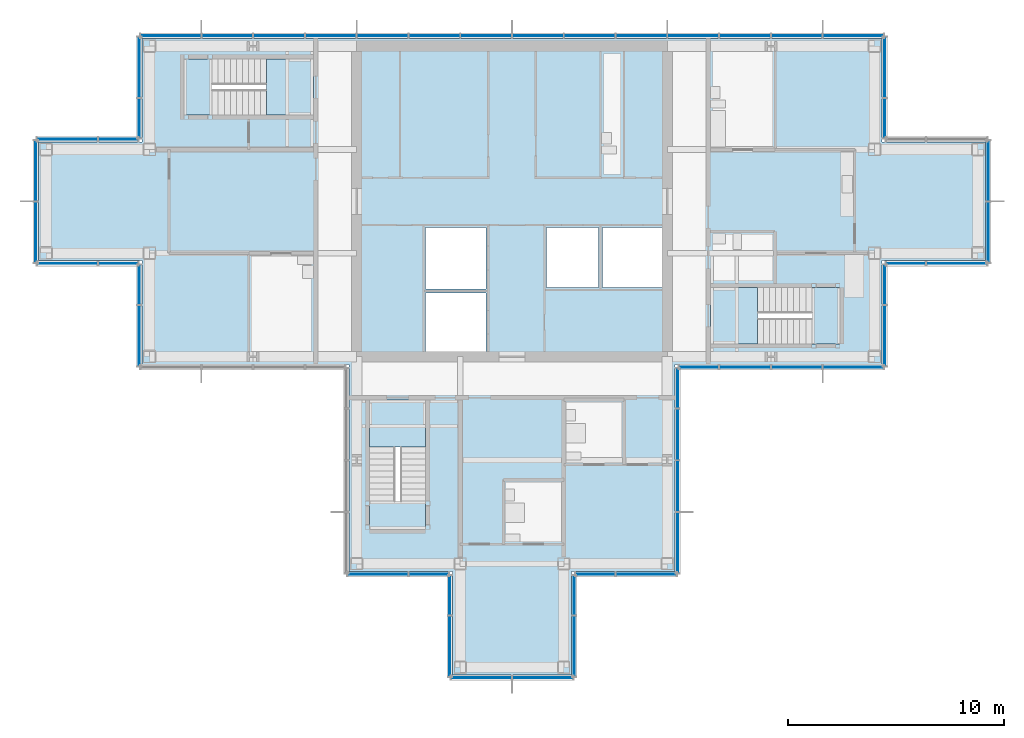
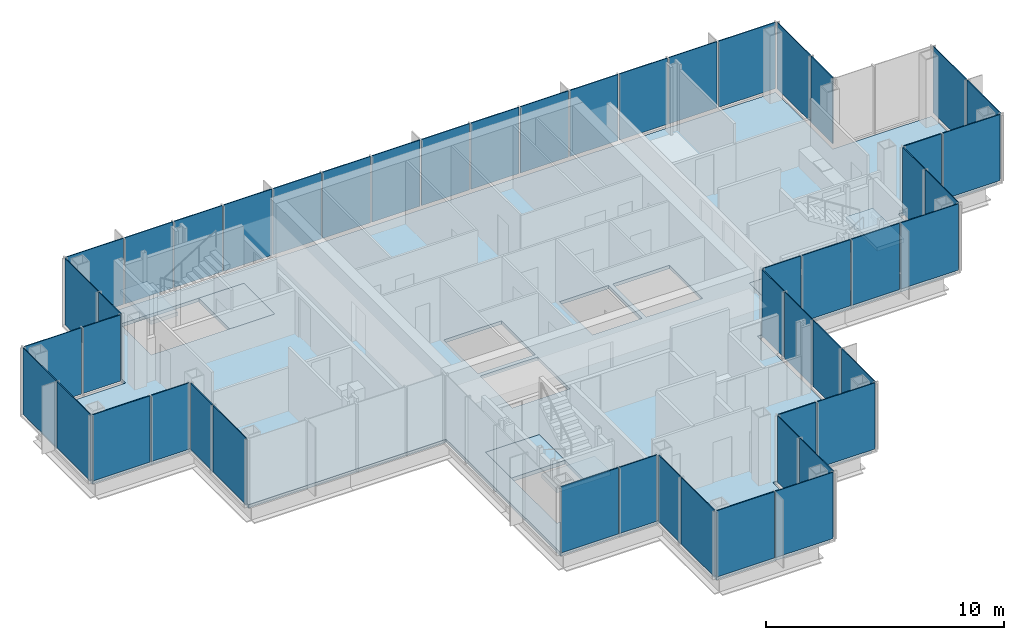
# One storey, part 9 of 15: 50 plates, 7 slabs, 20 elements without a shape of their own.
"""IFC4 building model written with IfcOpenShell, lengths in metres."""

from ifc_helpers import new_model, si_unit, direction, frame, origin, origin_2d, place, context, subcontext, project, spatial, polyline, rectangle, outline, extrude, material, layer, layer_set, type_object, element, aggregate, save


model = new_model("IFC4")

# Units and contexts
model_context = context("Model", 3, precision=1e-05, world=origin(), true_north=direction((0.0, 1.0)))
body_context = subcontext(model_context, "Body", "Model", "MODEL_VIEW")
ifc_project = project(units=[si_unit("LENGTHUNIT", "METRE"), si_unit("AREAUNIT", "SQUARE_METRE"), si_unit("VOLUMEUNIT", "CUBIC_METRE"), si_unit("PLANEANGLEUNIT", "RADIAN"), si_unit("MASSUNIT", "GRAM", prefix="KILO")], contexts=[model_context])

# Site, building, storey
site_placement = place(None, origin())
site = spatial("IfcSite", under=ifc_project, at=site_placement, CompositionType="ELEMENT")
building_placement = place(site_placement, origin())
building = spatial("IfcBuilding", under=site, at=building_placement, Name="Kvirike Care Tower", CompositionType="ELEMENT")
storey_placement = place(building_placement, frame((0.0, 0.0, 240.0)))
storey = spatial("IfcBuildingStorey", under=building, at=storey_placement, Name="L66", CompositionType="ELEMENT", Elevation=240.0)

# Slab
ifc_material_1 = material(Name="Concrete C35/45", Category="concrete")
ifc_layer_1 = layer(ifc_material_1, 0.169921875)
ifc_layer_set_1 = layer_set([ifc_layer_1], Name="FLOOR SLAB 170")
slab_type_1 = type_object("IfcSlabType", Name="FLOOR SLAB 170", PredefinedType="FLOOR", material=ifc_layer_set_1)
slab_1_placement = place(storey_placement, frame((0.0, 0.0, -0.169921875)))
element("IfcSlab", 1, at=slab_1_placement, inside=storey, type_object=slab_type_1, Name="Floor slab L66", PredefinedType="FLOOR", context=body_context, shape_type="SweptSolid", body=[
    extrude(outline(polyline([(29.14990234375, 28.449951171875), (38.75, 28.449951171875), (38.75, 33.25), (43.550048828125, 33.25), (43.550048828125, 38.75), (38.75, 38.75), (38.75, 43.550048828125), (4.449951171875, 43.550048828125), (4.449951171875, 38.75), (-0.35009765625, 38.75), (-0.35009765625, 33.25), (4.449951171875, 33.25), (4.449951171875, 28.449951171875), (14.050048828125, 28.449951171875), (14.050048828125, 18.85009765625), (18.85009765625, 18.85009765625), (18.85009765625, 14.050048828125), (24.35009765625, 14.050048828125), (24.35009765625, 18.85009765625), (29.14990234375, 18.85009765625), (29.14990234375, 28.449951171875)]), holes=[polyline([(17.60009765625, 29.050048828125), (17.60009765625, 31.75), (20.39990234375, 31.75), (20.39990234375, 29.050048828125), (17.60009765625, 29.050048828125)]), polyline([(17.60009765625, 31.949951171875), (17.60009765625, 34.800048828125), (20.39990234375, 34.800048828125), (20.39990234375, 31.949951171875), (17.60009765625, 31.949951171875)]), polyline([(23.199951171875, 32.0), (23.199951171875, 34.800048828125), (25.60009765625, 34.800048828125), (25.60009765625, 32.0), (23.199951171875, 32.0)]), polyline([(25.800048828125, 32.0), (25.800048828125, 34.800048828125), (28.550048828125, 34.800048828125), (28.550048828125, 32.0), (25.800048828125, 32.0)]), polyline([(12.39990234375, 42.60009765625), (12.39990234375, 40.0), (6.39990234375, 40.0), (6.39990234375, 42.60009765625), (12.39990234375, 42.60009765625)]), polyline([(30.800048828125, 29.39990234375), (30.800048828125, 32.0), (36.800048828125, 32.0), (36.800048828125, 29.39990234375), (30.800048828125, 29.39990234375)]), polyline([(15.0, 26.800048828125), (17.60009765625, 26.800048828125), (17.60009765625, 20.800048828125), (15.0, 20.800048828125), (15.0, 26.800048828125)])]), origin(), (0.0, 0.0, 1.0), 0.169921875),
])

# Stair, slabs
ifc_material_2 = material(Name="Concrete C35/45", Category="concrete")
stair_type = type_object("IfcStairType", Name="STAIR 20 RISERS", PredefinedType="HALF_TURN_STAIR", material=ifc_material_2)
stair_1_placement = place(storey_placement, origin())
stair_1 = element("IfcStair", 2, at=stair_1_placement, inside=storey, type_object=stair_type, Name="Stair 1 L66", PredefinedType="HALF_TURN_STAIR")
ifc_material_3 = material(Name="Concrete C35/45", Category="concrete")
ifc_layer_2 = layer(ifc_material_3, 0.199951171875)
ifc_layer_set_2 = layer_set([ifc_layer_2], Name="STAIR LANDING 200")
slab_type_2 = type_object("IfcSlabType", Name="STAIR LANDING 200", PredefinedType="LANDING", material=ifc_layer_set_2)
slab_2_placement = place(storey_placement, frame((0.0, 0.0, -0.199951171875)))
slab_2 = element("IfcSlab", 3, at=slab_2_placement, type_object=slab_type_2, Name="Stair S1 floor landing L66", PredefinedType="LANDING", context=body_context, shape_type="SweptSolid", body=[
    extrude(outline(polyline([(10.219970703125, 42.60009765625), (10.219970703125, 40.0), (12.39990234375, 40.0), (12.39990234375, 42.60009765625), (10.219970703125, 42.60009765625)])), origin(), (0.0, 0.0, 1.0), 0.199951171875),
])
slab_3_placement = place(storey_placement, frame((0.0, 0.0, 1.550048828125)))
slab_3 = element("IfcSlab", 4, at=slab_3_placement, type_object=slab_type_2, Name="Stair S1 half landing L66-L67", PredefinedType="LANDING", context=body_context, shape_type="SweptSolid", body=[
    extrude(outline(polyline([(6.39990234375, 42.60009765625), (6.39990234375, 40.0), (7.699951171875, 40.0), (7.699951171875, 42.60009765625), (6.39990234375, 42.60009765625)])), origin(), (0.0, 0.0, 1.0), 0.199951171875),
])
aggregate(stair_1, [slab_2, slab_3])

stair_2_placement = place(storey_placement, origin())
stair_2 = element("IfcStair", 5, at=stair_2_placement, inside=storey, type_object=stair_type, Name="Stair 2 L66", PredefinedType="HALF_TURN_STAIR")
slab_4_placement = place(storey_placement, frame((0.0, 0.0, -0.199951171875)))
slab_4 = element("IfcSlab", 6, at=slab_4_placement, type_object=slab_type_2, Name="Stair S2 floor landing L66", PredefinedType="LANDING", context=body_context, shape_type="SweptSolid", body=[
    extrude(outline(polyline([(32.97998046875, 29.39990234375), (32.97998046875, 32.0), (30.800048828125, 32.0), (30.800048828125, 29.39990234375), (32.97998046875, 29.39990234375)])), origin(), (0.0, 0.0, 1.0), 0.199951171875),
])
slab_5_placement = place(storey_placement, frame((0.0, 0.0, 1.550048828125)))
slab_5 = element("IfcSlab", 7, at=slab_5_placement, type_object=slab_type_2, Name="Stair S2 half landing L66-L67", PredefinedType="LANDING", context=body_context, shape_type="SweptSolid", body=[
    extrude(outline(polyline([(36.800048828125, 29.39990234375), (36.800048828125, 32.0), (35.5, 32.0), (35.5, 29.39990234375), (36.800048828125, 29.39990234375)])), origin(), (0.0, 0.0, 1.0), 0.199951171875),
])
aggregate(stair_2, [slab_4, slab_5])

stair_3_placement = place(storey_placement, origin())
stair_3 = element("IfcStair", 8, at=stair_3_placement, inside=storey, type_object=stair_type, Name="Stair 5 L66", PredefinedType="HALF_TURN_STAIR")
slab_6_placement = place(storey_placement, frame((0.0, 0.0, -0.199951171875)))
slab_6 = element("IfcSlab", 9, at=slab_6_placement, type_object=slab_type_2, Name="Stair S5 floor landing L66", PredefinedType="LANDING", context=body_context, shape_type="SweptSolid", body=[
    extrude(outline(polyline([(15.0, 24.6201171875), (17.60009765625, 24.6201171875), (17.60009765625, 26.800048828125), (15.0, 26.800048828125), (15.0, 24.6201171875)])), origin(), (0.0, 0.0, 1.0), 0.199951171875),
])
slab_7_placement = place(storey_placement, frame((0.0, 0.0, 1.550048828125)))
slab_7 = element("IfcSlab", 10, at=slab_7_placement, type_object=slab_type_2, Name="Stair S5 half landing L66-L67", PredefinedType="LANDING", context=body_context, shape_type="SweptSolid", body=[
    extrude(outline(polyline([(15.0, 20.800048828125), (17.60009765625, 20.800048828125), (17.60009765625, 22.10009765625), (15.0, 22.10009765625), (15.0, 20.800048828125)])), origin(), (0.0, 0.0, 1.0), 0.199951171875),
])
aggregate(stair_3, [slab_6, slab_7])

# Curtain wall, plates
ifc_material_4 = material(Name="Anodised aluminium stick system", Category="aluminium")
curtain_wall_type = type_object("IfcCurtainWallType", Name="CW-D STICK CURTAIN WALL", PredefinedType="NOTDEFINED", material=ifc_material_4)
curtain_wall_1_placement = place(storey_placement, origin())
curtain_wall_1 = element("IfcCurtainWall", 11, at=curtain_wall_1_placement, inside=storey, type_object=curtain_wall_type, Name="Curtain wall L66 face 1", PredefinedType="NOTDEFINED")
ifc_material_5 = material(Name="Tinted double glazed unit", Category="glass")
ifc_layer_3 = layer(ifc_material_5, 0.0439453125)
ifc_layer_set_3 = layer_set([ifc_layer_3], Name="TINTED VISION PANEL 44")
plate_type = type_object("IfcPlateType", Name="TINTED VISION PANEL 44", PredefinedType="CURTAIN_PANEL", material=ifc_layer_set_3)
plate_1_placement = place(storey_placement, frame((30.25634765625, 28.320068359375, 0.10009765625), z_axis=(0.0, 0.0, 1.0), x_axis=(1.0, 0.0, 0.0)))
plate_1 = element("IfcPlate", 12, at=plate_1_placement, type_object=plate_type, Name="CW-D panel L66 face 1.1", PredefinedType="CURTAIN_PANEL", context=body_context, shape_type="SweptSolid", body=[
    extrude(rectangle(XDim=1.822509765625, YDim=0.0439453125, at=origin_2d()), origin(), (0.0, 0.0, 1.0), 3.39990234375),
])
plate_2_placement = place(storey_placement, frame((32.39990234375, 28.320068359375, 0.10009765625), z_axis=(0.0, 0.0, 1.0), x_axis=(1.0, 0.0, 0.0)))
plate_2 = element("IfcPlate", 13, at=plate_2_placement, type_object=plate_type, Name="CW-D panel L66 face 1.2", PredefinedType="CURTAIN_PANEL", context=body_context, shape_type="SweptSolid", body=[
    extrude(rectangle(XDim=2.3349609375, YDim=0.0439453125, at=origin_2d()), origin(), (0.0, 0.0, 1.0), 3.39990234375),
])
plate_3_placement = place(storey_placement, frame((34.800048828125, 28.320068359375, 0.10009765625), z_axis=(0.0, 0.0, 1.0), x_axis=(1.0, 0.0, 0.0)))
plate_3 = element("IfcPlate", 14, at=plate_3_placement, type_object=plate_type, Name="CW-D panel L66 face 1.3", PredefinedType="CURTAIN_PANEL", context=body_context, shape_type="SweptSolid", body=[
    extrude(rectangle(XDim=2.3349609375, YDim=0.0439453125, at=origin_2d()), origin(), (0.0, 0.0, 1.0), 3.39990234375),
])
plate_4_placement = place(storey_placement, frame((37.423828125, 28.320068359375, 0.10009765625), z_axis=(0.0, 0.0, 1.0), x_axis=(1.0, 0.0, 0.0)))
plate_4 = element("IfcPlate", 15, at=plate_4_placement, type_object=plate_type, Name="CW-D panel L66 face 1.4", PredefinedType="CURTAIN_PANEL", context=body_context, shape_type="SweptSolid", body=[
    extrude(rectangle(XDim=2.782470703125, YDim=0.0439453125, at=origin_2d()), origin(), (0.0, 0.0, 1.0), 3.39990234375),
])
aggregate(curtain_wall_1, [plate_1, plate_2, plate_3, plate_4])

curtain_wall_2_placement = place(storey_placement, origin())
curtain_wall_2 = element("IfcCurtainWall", 16, at=curtain_wall_2_placement, inside=storey, type_object=curtain_wall_type, Name="Curtain wall L66 face 2", PredefinedType="NOTDEFINED")
plate_5_placement = place(storey_placement, frame((38.8798828125, 29.7763671875, 0.10009765625), z_axis=(0.0, 0.0, 1.0), x_axis=(0.0, 1.0, 0.0)))
plate_5 = element("IfcPlate", 17, at=plate_5_placement, type_object=plate_type, Name="CW-D panel L66 face 2.1", PredefinedType="CURTAIN_PANEL", context=body_context, shape_type="SweptSolid", body=[
    extrude(rectangle(XDim=2.782470703125, YDim=0.0439453125, at=origin_2d()), origin(), (0.0, 0.0, 1.0), 3.39990234375),
])
plate_6_placement = place(storey_placement, frame((38.8798828125, 32.143798828125, 0.10009765625), z_axis=(0.0, 0.0, 1.0), x_axis=(0.0, 1.0, 0.0)))
plate_6 = element("IfcPlate", 18, at=plate_6_placement, type_object=plate_type, Name="CW-D panel L66 face 2.2", PredefinedType="CURTAIN_PANEL", context=body_context, shape_type="SweptSolid", body=[
    extrude(rectangle(XDim=1.822509765625, YDim=0.0439453125, at=origin_2d()), origin(), (0.0, 0.0, 1.0), 3.39990234375),
])
aggregate(curtain_wall_2, [plate_5, plate_6])

curtain_wall_3_placement = place(storey_placement, origin())
curtain_wall_3 = element("IfcCurtainWall", 19, at=curtain_wall_3_placement, inside=storey, type_object=curtain_wall_type, Name="Curtain wall L66 face 3", PredefinedType="NOTDEFINED")
plate_7_placement = place(storey_placement, frame((39.856201171875, 33.1201171875, 0.10009765625), z_axis=(0.0, 0.0, 1.0), x_axis=(1.0, 0.0, 0.0)))
plate_7 = element("IfcPlate", 20, at=plate_7_placement, type_object=plate_type, Name="CW-D panel L66 face 3.1", PredefinedType="CURTAIN_PANEL", context=body_context, shape_type="SweptSolid", body=[
    extrude(rectangle(XDim=1.822509765625, YDim=0.0439453125, at=origin_2d()), origin(), (0.0, 0.0, 1.0), 3.39990234375),
])
plate_8_placement = place(storey_placement, frame((42.2236328125, 33.1201171875, 0.10009765625), z_axis=(0.0, 0.0, 1.0), x_axis=(1.0, 0.0, 0.0)))
plate_8 = element("IfcPlate", 21, at=plate_8_placement, type_object=plate_type, Name="CW-D panel L66 face 3.2", PredefinedType="CURTAIN_PANEL", context=body_context, shape_type="SweptSolid", body=[
    extrude(rectangle(XDim=2.782470703125, YDim=0.0439453125, at=origin_2d()), origin(), (0.0, 0.0, 1.0), 3.39990234375),
])
aggregate(curtain_wall_3, [plate_7, plate_8])

curtain_wall_4_placement = place(storey_placement, origin())
curtain_wall_4 = element("IfcCurtainWall", 22, at=curtain_wall_4_placement, inside=storey, type_object=curtain_wall_type, Name="Curtain wall L66 face 4", PredefinedType="NOTDEFINED")
plate_9_placement = place(storey_placement, frame((43.679931640625, 34.576171875, 0.10009765625), z_axis=(0.0, 0.0, 1.0), x_axis=(0.0, 1.0, 0.0)))
plate_9 = element("IfcPlate", 23, at=plate_9_placement, type_object=plate_type, Name="CW-D panel L66 face 4.1", PredefinedType="CURTAIN_PANEL", context=body_context, shape_type="SweptSolid", body=[
    extrude(rectangle(XDim=2.782470703125, YDim=0.0439453125, at=origin_2d()), origin(), (0.0, 0.0, 1.0), 3.39990234375),
])
plate_10_placement = place(storey_placement, frame((43.679931640625, 37.423828125, 0.10009765625), z_axis=(0.0, 0.0, 1.0), x_axis=(0.0, 1.0, 0.0)))
plate_10 = element("IfcPlate", 24, at=plate_10_placement, type_object=plate_type, Name="CW-D panel L66 face 4.2", PredefinedType="CURTAIN_PANEL", context=body_context, shape_type="SweptSolid", body=[
    extrude(rectangle(XDim=2.782470703125, YDim=0.0439453125, at=origin_2d()), origin(), (0.0, 0.0, 1.0), 3.39990234375),
])
aggregate(curtain_wall_4, [plate_9, plate_10])

curtain_wall_5_placement = place(storey_placement, origin())
curtain_wall_5 = element("IfcCurtainWall", 25, at=curtain_wall_5_placement, inside=storey, type_object=curtain_wall_type, Name="Curtain wall L66 face 6", PredefinedType="NOTDEFINED")
plate_11_placement = place(storey_placement, frame((38.8798828125, 39.856201171875, 0.10009765625), z_axis=(0.0, 0.0, 1.0), x_axis=(0.0, 1.0, 0.0)))
plate_11 = element("IfcPlate", 26, at=plate_11_placement, type_object=plate_type, Name="CW-D panel L66 face 6.1", PredefinedType="CURTAIN_PANEL", context=body_context, shape_type="SweptSolid", body=[
    extrude(rectangle(XDim=1.822509765625, YDim=0.0439453125, at=origin_2d()), origin(), (0.0, 0.0, 1.0), 3.39990234375),
])
plate_12_placement = place(storey_placement, frame((38.8798828125, 42.2236328125, 0.10009765625), z_axis=(0.0, 0.0, 1.0), x_axis=(0.0, 1.0, 0.0)))
plate_12 = element("IfcPlate", 27, at=plate_12_placement, type_object=plate_type, Name="CW-D panel L66 face 6.2", PredefinedType="CURTAIN_PANEL", context=body_context, shape_type="SweptSolid", body=[
    extrude(rectangle(XDim=2.782470703125, YDim=0.0439453125, at=origin_2d()), origin(), (0.0, 0.0, 1.0), 3.39990234375),
])
aggregate(curtain_wall_5, [plate_11, plate_12])

curtain_wall_6_placement = place(storey_placement, origin())
curtain_wall_6 = element("IfcCurtainWall", 28, at=curtain_wall_6_placement, inside=storey, type_object=curtain_wall_type, Name="Curtain wall L66 face 7", PredefinedType="NOTDEFINED")
plate_13_placement = place(storey_placement, frame((37.423828125, 43.679931640625, 0.10009765625), z_axis=(0.0, 0.0, 1.0), x_axis=(-1.0, 0.0, 0.0)))
plate_13 = element("IfcPlate", 29, at=plate_13_placement, type_object=plate_type, Name="CW-D panel L66 face 7.1", PredefinedType="CURTAIN_PANEL", context=body_context, shape_type="SweptSolid", body=[
    extrude(rectangle(XDim=2.782470703125, YDim=0.0439453125, at=origin_2d()), origin(), (0.0, 0.0, 1.0), 3.39990234375),
])
plate_14_placement = place(storey_placement, frame((34.800048828125, 43.679931640625, 0.10009765625), z_axis=(0.0, 0.0, 1.0), x_axis=(-1.0, 0.0, 0.0)))
plate_14 = element("IfcPlate", 30, at=plate_14_placement, type_object=plate_type, Name="CW-D panel L66 face 7.2", PredefinedType="CURTAIN_PANEL", context=body_context, shape_type="SweptSolid", body=[
    extrude(rectangle(XDim=2.3349609375, YDim=0.0439453125, at=origin_2d()), origin(), (0.0, 0.0, 1.0), 3.39990234375),
])
plate_15_placement = place(storey_placement, frame((32.39990234375, 43.679931640625, 0.10009765625), z_axis=(0.0, 0.0, 1.0), x_axis=(-1.0, 0.0, 0.0)))
plate_15 = element("IfcPlate", 31, at=plate_15_placement, type_object=plate_type, Name="CW-D panel L66 face 7.3", PredefinedType="CURTAIN_PANEL", context=body_context, shape_type="SweptSolid", body=[
    extrude(rectangle(XDim=2.3349609375, YDim=0.0439453125, at=origin_2d()), origin(), (0.0, 0.0, 1.0), 3.39990234375),
])
plate_16_placement = place(storey_placement, frame((30.0, 43.679931640625, 0.10009765625), z_axis=(0.0, 0.0, 1.0), x_axis=(-1.0, 0.0, 0.0)))
plate_16 = element("IfcPlate", 32, at=plate_16_placement, type_object=plate_type, Name="CW-D panel L66 face 7.4", PredefinedType="CURTAIN_PANEL", context=body_context, shape_type="SweptSolid", body=[
    extrude(rectangle(XDim=2.3349609375, YDim=0.0439453125, at=origin_2d()), origin(), (0.0, 0.0, 1.0), 3.39990234375),
])
plate_17_placement = place(storey_placement, frame((27.60009765625, 43.679931640625, 0.10009765625), z_axis=(0.0, 0.0, 1.0), x_axis=(-1.0, 0.0, 0.0)))
plate_17 = element("IfcPlate", 33, at=plate_17_placement, type_object=plate_type, Name="CW-D panel L66 face 7.5", PredefinedType="CURTAIN_PANEL", context=body_context, shape_type="SweptSolid", body=[
    extrude(rectangle(XDim=2.3349609375, YDim=0.0439453125, at=origin_2d()), origin(), (0.0, 0.0, 1.0), 3.39990234375),
])
plate_18_placement = place(storey_placement, frame((25.199951171875, 43.679931640625, 0.10009765625), z_axis=(0.0, 0.0, 1.0), x_axis=(-1.0, 0.0, 0.0)))
plate_18 = element("IfcPlate", 34, at=plate_18_placement, type_object=plate_type, Name="CW-D panel L66 face 7.6", PredefinedType="CURTAIN_PANEL", context=body_context, shape_type="SweptSolid", body=[
    extrude(rectangle(XDim=2.3349609375, YDim=0.0439453125, at=origin_2d()), origin(), (0.0, 0.0, 1.0), 3.39990234375),
])
plate_19_placement = place(storey_placement, frame((22.800048828125, 43.679931640625, 0.10009765625), z_axis=(0.0, 0.0, 1.0), x_axis=(-1.0, 0.0, 0.0)))
plate_19 = element("IfcPlate", 35, at=plate_19_placement, type_object=plate_type, Name="CW-D panel L66 face 7.7", PredefinedType="CURTAIN_PANEL", context=body_context, shape_type="SweptSolid", body=[
    extrude(rectangle(XDim=2.3349609375, YDim=0.0439453125, at=origin_2d()), origin(), (0.0, 0.0, 1.0), 3.39990234375),
])
plate_20_placement = place(storey_placement, frame((20.39990234375, 43.679931640625, 0.10009765625), z_axis=(0.0, 0.0, 1.0), x_axis=(-1.0, 0.0, 0.0)))
plate_20 = element("IfcPlate", 36, at=plate_20_placement, type_object=plate_type, Name="CW-D panel L66 face 7.8", PredefinedType="CURTAIN_PANEL", context=body_context, shape_type="SweptSolid", body=[
    extrude(rectangle(XDim=2.3349609375, YDim=0.0439453125, at=origin_2d()), origin(), (0.0, 0.0, 1.0), 3.39990234375),
])
plate_21_placement = place(storey_placement, frame((18.0, 43.679931640625, 0.10009765625), z_axis=(0.0, 0.0, 1.0), x_axis=(-1.0, 0.0, 0.0)))
plate_21 = element("IfcPlate", 37, at=plate_21_placement, type_object=plate_type, Name="CW-D panel L66 face 7.9", PredefinedType="CURTAIN_PANEL", context=body_context, shape_type="SweptSolid", body=[
    extrude(rectangle(XDim=2.3349609375, YDim=0.0439453125, at=origin_2d()), origin(), (0.0, 0.0, 1.0), 3.39990234375),
])
plate_22_placement = place(storey_placement, frame((15.60009765625, 43.679931640625, 0.10009765625), z_axis=(0.0, 0.0, 1.0), x_axis=(-1.0, 0.0, 0.0)))
plate_22 = element("IfcPlate", 38, at=plate_22_placement, type_object=plate_type, Name="CW-D panel L66 face 7.10", PredefinedType="CURTAIN_PANEL", context=body_context, shape_type="SweptSolid", body=[
    extrude(rectangle(XDim=2.3349609375, YDim=0.0439453125, at=origin_2d()), origin(), (0.0, 0.0, 1.0), 3.39990234375),
])
plate_23_placement = place(storey_placement, frame((13.199951171875, 43.679931640625, 0.10009765625), z_axis=(0.0, 0.0, 1.0), x_axis=(-1.0, 0.0, 0.0)))
plate_23 = element("IfcPlate", 39, at=plate_23_placement, type_object=plate_type, Name="CW-D panel L66 face 7.11", PredefinedType="CURTAIN_PANEL", context=body_context, shape_type="SweptSolid", body=[
    extrude(rectangle(XDim=2.3349609375, YDim=0.0439453125, at=origin_2d()), origin(), (0.0, 0.0, 1.0), 3.39990234375),
])
plate_24_placement = place(storey_placement, frame((10.800048828125, 43.679931640625, 0.10009765625), z_axis=(0.0, 0.0, 1.0), x_axis=(-1.0, 0.0, 0.0)))
plate_24 = element("IfcPlate", 40, at=plate_24_placement, type_object=plate_type, Name="CW-D panel L66 face 7.12", PredefinedType="CURTAIN_PANEL", context=body_context, shape_type="SweptSolid", body=[
    extrude(rectangle(XDim=2.3349609375, YDim=0.0439453125, at=origin_2d()), origin(), (0.0, 0.0, 1.0), 3.39990234375),
])
plate_25_placement = place(storey_placement, frame((8.39990234375, 43.679931640625, 0.10009765625), z_axis=(0.0, 0.0, 1.0), x_axis=(-1.0, 0.0, 0.0)))
plate_25 = element("IfcPlate", 41, at=plate_25_placement, type_object=plate_type, Name="CW-D panel L66 face 7.13", PredefinedType="CURTAIN_PANEL", context=body_context, shape_type="SweptSolid", body=[
    extrude(rectangle(XDim=2.3349609375, YDim=0.0439453125, at=origin_2d()), origin(), (0.0, 0.0, 1.0), 3.39990234375),
])
plate_26_placement = place(storey_placement, frame((5.7763671875, 43.679931640625, 0.10009765625), z_axis=(0.0, 0.0, 1.0), x_axis=(-1.0, 0.0, 0.0)))
plate_26 = element("IfcPlate", 42, at=plate_26_placement, type_object=plate_type, Name="CW-D panel L66 face 7.14", PredefinedType="CURTAIN_PANEL", context=body_context, shape_type="SweptSolid", body=[
    extrude(rectangle(XDim=2.782470703125, YDim=0.0439453125, at=origin_2d()), origin(), (0.0, 0.0, 1.0), 3.39990234375),
])
aggregate(curtain_wall_6, [plate_13, plate_14, plate_15, plate_16, plate_17, plate_18, plate_19, plate_20, plate_21, plate_22, plate_23, plate_24, plate_25, plate_26])

curtain_wall_7_placement = place(storey_placement, origin())
curtain_wall_7 = element("IfcCurtainWall", 43, at=curtain_wall_7_placement, inside=storey, type_object=curtain_wall_type, Name="Curtain wall L66 face 8", PredefinedType="NOTDEFINED")
plate_27_placement = place(storey_placement, frame((4.320068359375, 42.2236328125, 0.10009765625), z_axis=(0.0, 0.0, 1.0), x_axis=(0.0, -1.0, 0.0)))
plate_27 = element("IfcPlate", 44, at=plate_27_placement, type_object=plate_type, Name="CW-D panel L66 face 8.1", PredefinedType="CURTAIN_PANEL", context=body_context, shape_type="SweptSolid", body=[
    extrude(rectangle(XDim=2.782470703125, YDim=0.0439453125, at=origin_2d()), origin(), (0.0, 0.0, 1.0), 3.39990234375),
])
plate_28_placement = place(storey_placement, frame((4.320068359375, 39.856201171875, 0.10009765625), z_axis=(0.0, 0.0, 1.0), x_axis=(0.0, -1.0, 0.0)))
plate_28 = element("IfcPlate", 45, at=plate_28_placement, type_object=plate_type, Name="CW-D panel L66 face 8.2", PredefinedType="CURTAIN_PANEL", context=body_context, shape_type="SweptSolid", body=[
    extrude(rectangle(XDim=1.822509765625, YDim=0.0439453125, at=origin_2d()), origin(), (0.0, 0.0, 1.0), 3.39990234375),
])
aggregate(curtain_wall_7, [plate_27, plate_28])

curtain_wall_8_placement = place(storey_placement, origin())
curtain_wall_8 = element("IfcCurtainWall", 46, at=curtain_wall_8_placement, inside=storey, type_object=curtain_wall_type, Name="Curtain wall L66 face 9", PredefinedType="NOTDEFINED")
plate_29_placement = place(storey_placement, frame((3.34375, 38.8798828125, 0.10009765625), z_axis=(0.0, 0.0, 1.0), x_axis=(-1.0, 0.0, 0.0)))
plate_29 = element("IfcPlate", 47, at=plate_29_placement, type_object=plate_type, Name="CW-D panel L66 face 9.1", PredefinedType="CURTAIN_PANEL", context=body_context, shape_type="SweptSolid", body=[
    extrude(rectangle(XDim=1.822509765625, YDim=0.0439453125, at=origin_2d()), origin(), (0.0, 0.0, 1.0), 3.39990234375),
])
plate_30_placement = place(storey_placement, frame((0.976318359375, 38.8798828125, 0.10009765625), z_axis=(0.0, 0.0, 1.0), x_axis=(-1.0, 0.0, 0.0)))
plate_30 = element("IfcPlate", 48, at=plate_30_placement, type_object=plate_type, Name="CW-D panel L66 face 9.2", PredefinedType="CURTAIN_PANEL", context=body_context, shape_type="SweptSolid", body=[
    extrude(rectangle(XDim=2.782470703125, YDim=0.0439453125, at=origin_2d()), origin(), (0.0, 0.0, 1.0), 3.39990234375),
])
aggregate(curtain_wall_8, [plate_29, plate_30])

curtain_wall_9_placement = place(storey_placement, origin())
curtain_wall_9 = element("IfcCurtainWall", 49, at=curtain_wall_9_placement, inside=storey, type_object=curtain_wall_type, Name="Curtain wall L66 face 10", PredefinedType="NOTDEFINED")
plate_31_placement = place(storey_placement, frame((-0.47998046875, 37.423828125, 0.10009765625), z_axis=(0.0, 0.0, 1.0), x_axis=(0.0, -1.0, 0.0)))
plate_31 = element("IfcPlate", 50, at=plate_31_placement, type_object=plate_type, Name="CW-D panel L66 face 10.1", PredefinedType="CURTAIN_PANEL", context=body_context, shape_type="SweptSolid", body=[
    extrude(rectangle(XDim=2.782470703125, YDim=0.0439453125, at=origin_2d()), origin(), (0.0, 0.0, 1.0), 3.39990234375),
])
plate_32_placement = place(storey_placement, frame((-0.47998046875, 34.576171875, 0.10009765625), z_axis=(0.0, 0.0, 1.0), x_axis=(0.0, -1.0, 0.0)))
plate_32 = element("IfcPlate", 51, at=plate_32_placement, type_object=plate_type, Name="CW-D panel L66 face 10.2", PredefinedType="CURTAIN_PANEL", context=body_context, shape_type="SweptSolid", body=[
    extrude(rectangle(XDim=2.782470703125, YDim=0.0439453125, at=origin_2d()), origin(), (0.0, 0.0, 1.0), 3.39990234375),
])
aggregate(curtain_wall_9, [plate_31, plate_32])

curtain_wall_10_placement = place(storey_placement, origin())
curtain_wall_10 = element("IfcCurtainWall", 52, at=curtain_wall_10_placement, inside=storey, type_object=curtain_wall_type, Name="Curtain wall L66 face 11", PredefinedType="NOTDEFINED")
plate_33_placement = place(storey_placement, frame((0.976318359375, 33.1201171875, 0.10009765625), z_axis=(0.0, 0.0, 1.0), x_axis=(1.0, 0.0, 0.0)))
plate_33 = element("IfcPlate", 53, at=plate_33_placement, type_object=plate_type, Name="CW-D panel L66 face 11.1", PredefinedType="CURTAIN_PANEL", context=body_context, shape_type="SweptSolid", body=[
    extrude(rectangle(XDim=2.782470703125, YDim=0.0439453125, at=origin_2d()), origin(), (0.0, 0.0, 1.0), 3.39990234375),
])
plate_34_placement = place(storey_placement, frame((3.34375, 33.1201171875, 0.10009765625), z_axis=(0.0, 0.0, 1.0), x_axis=(1.0, 0.0, 0.0)))
plate_34 = element("IfcPlate", 54, at=plate_34_placement, type_object=plate_type, Name="CW-D panel L66 face 11.2", PredefinedType="CURTAIN_PANEL", context=body_context, shape_type="SweptSolid", body=[
    extrude(rectangle(XDim=1.822509765625, YDim=0.0439453125, at=origin_2d()), origin(), (0.0, 0.0, 1.0), 3.39990234375),
])
aggregate(curtain_wall_10, [plate_33, plate_34])

curtain_wall_11_placement = place(storey_placement, origin())
curtain_wall_11 = element("IfcCurtainWall", 55, at=curtain_wall_11_placement, inside=storey, type_object=curtain_wall_type, Name="Curtain wall L66 face 12", PredefinedType="NOTDEFINED")
plate_35_placement = place(storey_placement, frame((4.320068359375, 32.143798828125, 0.10009765625), z_axis=(0.0, 0.0, 1.0), x_axis=(0.0, -1.0, 0.0)))
plate_35 = element("IfcPlate", 56, at=plate_35_placement, type_object=plate_type, Name="CW-D panel L66 face 12.1", PredefinedType="CURTAIN_PANEL", context=body_context, shape_type="SweptSolid", body=[
    extrude(rectangle(XDim=1.822509765625, YDim=0.0439453125, at=origin_2d()), origin(), (0.0, 0.0, 1.0), 3.39990234375),
])
plate_36_placement = place(storey_placement, frame((4.320068359375, 29.7763671875, 0.10009765625), z_axis=(0.0, 0.0, 1.0), x_axis=(0.0, -1.0, 0.0)))
plate_36 = element("IfcPlate", 57, at=plate_36_placement, type_object=plate_type, Name="CW-D panel L66 face 12.2", PredefinedType="CURTAIN_PANEL", context=body_context, shape_type="SweptSolid", body=[
    extrude(rectangle(XDim=2.782470703125, YDim=0.0439453125, at=origin_2d()), origin(), (0.0, 0.0, 1.0), 3.39990234375),
])
aggregate(curtain_wall_11, [plate_35, plate_36])

curtain_wall_12_placement = place(storey_placement, origin())
curtain_wall_12 = element("IfcCurtainWall", 58, at=curtain_wall_12_placement, inside=storey, type_object=curtain_wall_type, Name="Curtain wall L66 face 15", PredefinedType="NOTDEFINED")
plate_37_placement = place(storey_placement, frame((15.376220703125, 18.719970703125, 0.10009765625), z_axis=(0.0, 0.0, 1.0), x_axis=(1.0, 0.0, 0.0)))
plate_37 = element("IfcPlate", 59, at=plate_37_placement, type_object=plate_type, Name="CW-D panel L66 face 15.1", PredefinedType="CURTAIN_PANEL", context=body_context, shape_type="SweptSolid", body=[
    extrude(rectangle(XDim=2.782470703125, YDim=0.0439453125, at=origin_2d()), origin(), (0.0, 0.0, 1.0), 3.39990234375),
])
plate_38_placement = place(storey_placement, frame((17.74365234375, 18.719970703125, 0.10009765625), z_axis=(0.0, 0.0, 1.0), x_axis=(1.0, 0.0, 0.0)))
plate_38 = element("IfcPlate", 60, at=plate_38_placement, type_object=plate_type, Name="CW-D panel L66 face 15.2", PredefinedType="CURTAIN_PANEL", context=body_context, shape_type="SweptSolid", body=[
    extrude(rectangle(XDim=1.822509765625, YDim=0.0439453125, at=origin_2d()), origin(), (0.0, 0.0, 1.0), 3.39990234375),
])
aggregate(curtain_wall_12, [plate_37, plate_38])

curtain_wall_13_placement = place(storey_placement, origin())
curtain_wall_13 = element("IfcCurtainWall", 61, at=curtain_wall_13_placement, inside=storey, type_object=curtain_wall_type, Name="Curtain wall L66 face 16", PredefinedType="NOTDEFINED")
plate_39_placement = place(storey_placement, frame((18.719970703125, 17.74365234375, 0.10009765625), z_axis=(0.0, 0.0, 1.0), x_axis=(0.0, -1.0, 0.0)))
plate_39 = element("IfcPlate", 62, at=plate_39_placement, type_object=plate_type, Name="CW-D panel L66 face 16.1", PredefinedType="CURTAIN_PANEL", context=body_context, shape_type="SweptSolid", body=[
    extrude(rectangle(XDim=1.822509765625, YDim=0.0439453125, at=origin_2d()), origin(), (0.0, 0.0, 1.0), 3.39990234375),
])
plate_40_placement = place(storey_placement, frame((18.719970703125, 15.376220703125, 0.10009765625), z_axis=(0.0, 0.0, 1.0), x_axis=(0.0, -1.0, 0.0)))
plate_40 = element("IfcPlate", 63, at=plate_40_placement, type_object=plate_type, Name="CW-D panel L66 face 16.2", PredefinedType="CURTAIN_PANEL", context=body_context, shape_type="SweptSolid", body=[
    extrude(rectangle(XDim=2.782470703125, YDim=0.0439453125, at=origin_2d()), origin(), (0.0, 0.0, 1.0), 3.39990234375),
])
aggregate(curtain_wall_13, [plate_39, plate_40])

curtain_wall_14_placement = place(storey_placement, origin())
curtain_wall_14 = element("IfcCurtainWall", 64, at=curtain_wall_14_placement, inside=storey, type_object=curtain_wall_type, Name="Curtain wall L66 face 17", PredefinedType="NOTDEFINED")
plate_41_placement = place(storey_placement, frame((20.17626953125, 13.919921875, 0.10009765625), z_axis=(0.0, 0.0, 1.0), x_axis=(1.0, 0.0, 0.0)))
plate_41 = element("IfcPlate", 65, at=plate_41_placement, type_object=plate_type, Name="CW-D panel L66 face 17.1", PredefinedType="CURTAIN_PANEL", context=body_context, shape_type="SweptSolid", body=[
    extrude(rectangle(XDim=2.782470703125, YDim=0.0439453125, at=origin_2d()), origin(), (0.0, 0.0, 1.0), 3.39990234375),
])
plate_42_placement = place(storey_placement, frame((23.023681640625, 13.919921875, 0.10009765625), z_axis=(0.0, 0.0, 1.0), x_axis=(1.0, 0.0, 0.0)))
plate_42 = element("IfcPlate", 66, at=plate_42_placement, type_object=plate_type, Name="CW-D panel L66 face 17.2", PredefinedType="CURTAIN_PANEL", context=body_context, shape_type="SweptSolid", body=[
    extrude(rectangle(XDim=2.782470703125, YDim=0.0439453125, at=origin_2d()), origin(), (0.0, 0.0, 1.0), 3.39990234375),
])
aggregate(curtain_wall_14, [plate_41, plate_42])

curtain_wall_15_placement = place(storey_placement, origin())
curtain_wall_15 = element("IfcCurtainWall", 67, at=curtain_wall_15_placement, inside=storey, type_object=curtain_wall_type, Name="Curtain wall L66 face 18", PredefinedType="NOTDEFINED")
plate_43_placement = place(storey_placement, frame((24.47998046875, 15.376220703125, 0.10009765625), z_axis=(0.0, 0.0, 1.0), x_axis=(0.0, 1.0, 0.0)))
plate_43 = element("IfcPlate", 68, at=plate_43_placement, type_object=plate_type, Name="CW-D panel L66 face 18.1", PredefinedType="CURTAIN_PANEL", context=body_context, shape_type="SweptSolid", body=[
    extrude(rectangle(XDim=2.782470703125, YDim=0.0439453125, at=origin_2d()), origin(), (0.0, 0.0, 1.0), 3.39990234375),
])
plate_44_placement = place(storey_placement, frame((24.47998046875, 17.74365234375, 0.10009765625), z_axis=(0.0, 0.0, 1.0), x_axis=(0.0, 1.0, 0.0)))
plate_44 = element("IfcPlate", 69, at=plate_44_placement, type_object=plate_type, Name="CW-D panel L66 face 18.2", PredefinedType="CURTAIN_PANEL", context=body_context, shape_type="SweptSolid", body=[
    extrude(rectangle(XDim=1.822509765625, YDim=0.0439453125, at=origin_2d()), origin(), (0.0, 0.0, 1.0), 3.39990234375),
])
aggregate(curtain_wall_15, [plate_43, plate_44])

curtain_wall_16_placement = place(storey_placement, origin())
curtain_wall_16 = element("IfcCurtainWall", 70, at=curtain_wall_16_placement, inside=storey, type_object=curtain_wall_type, Name="Curtain wall L66 face 19", PredefinedType="NOTDEFINED")
plate_45_placement = place(storey_placement, frame((25.456298828125, 18.719970703125, 0.10009765625), z_axis=(0.0, 0.0, 1.0), x_axis=(1.0, 0.0, 0.0)))
plate_45 = element("IfcPlate", 71, at=plate_45_placement, type_object=plate_type, Name="CW-D panel L66 face 19.1", PredefinedType="CURTAIN_PANEL", context=body_context, shape_type="SweptSolid", body=[
    extrude(rectangle(XDim=1.822509765625, YDim=0.0439453125, at=origin_2d()), origin(), (0.0, 0.0, 1.0), 3.39990234375),
])
plate_46_placement = place(storey_placement, frame((27.82373046875, 18.719970703125, 0.10009765625), z_axis=(0.0, 0.0, 1.0), x_axis=(1.0, 0.0, 0.0)))
plate_46 = element("IfcPlate", 72, at=plate_46_placement, type_object=plate_type, Name="CW-D panel L66 face 19.2", PredefinedType="CURTAIN_PANEL", context=body_context, shape_type="SweptSolid", body=[
    extrude(rectangle(XDim=2.782470703125, YDim=0.0439453125, at=origin_2d()), origin(), (0.0, 0.0, 1.0), 3.39990234375),
])
aggregate(curtain_wall_16, [plate_45, plate_46])

curtain_wall_17_placement = place(storey_placement, origin())
curtain_wall_17 = element("IfcCurtainWall", 73, at=curtain_wall_17_placement, inside=storey, type_object=curtain_wall_type, Name="Curtain wall L66 face 20", PredefinedType="NOTDEFINED")
plate_47_placement = place(storey_placement, frame((29.280029296875, 20.17626953125, 0.10009765625), z_axis=(0.0, 0.0, 1.0), x_axis=(0.0, 1.0, 0.0)))
plate_47 = element("IfcPlate", 74, at=plate_47_placement, type_object=plate_type, Name="CW-D panel L66 face 20.1", PredefinedType="CURTAIN_PANEL", context=body_context, shape_type="SweptSolid", body=[
    extrude(rectangle(XDim=2.782470703125, YDim=0.0439453125, at=origin_2d()), origin(), (0.0, 0.0, 1.0), 3.39990234375),
])
plate_48_placement = place(storey_placement, frame((29.280029296875, 22.800048828125, 0.10009765625), z_axis=(0.0, 0.0, 1.0), x_axis=(0.0, 1.0, 0.0)))
plate_48 = element("IfcPlate", 75, at=plate_48_placement, type_object=plate_type, Name="CW-D panel L66 face 20.2", PredefinedType="CURTAIN_PANEL", context=body_context, shape_type="SweptSolid", body=[
    extrude(rectangle(XDim=2.3349609375, YDim=0.0439453125, at=origin_2d()), origin(), (0.0, 0.0, 1.0), 3.39990234375),
])
plate_49_placement = place(storey_placement, frame((29.280029296875, 25.199951171875, 0.10009765625), z_axis=(0.0, 0.0, 1.0), x_axis=(0.0, 1.0, 0.0)))
plate_49 = element("IfcPlate", 76, at=plate_49_placement, type_object=plate_type, Name="CW-D panel L66 face 20.3", PredefinedType="CURTAIN_PANEL", context=body_context, shape_type="SweptSolid", body=[
    extrude(rectangle(XDim=2.3349609375, YDim=0.0439453125, at=origin_2d()), origin(), (0.0, 0.0, 1.0), 3.39990234375),
])
plate_50_placement = place(storey_placement, frame((29.280029296875, 27.34375, 0.10009765625), z_axis=(0.0, 0.0, 1.0), x_axis=(0.0, 1.0, 0.0)))
plate_50 = element("IfcPlate", 77, at=plate_50_placement, type_object=plate_type, Name="CW-D panel L66 face 20.4", PredefinedType="CURTAIN_PANEL", context=body_context, shape_type="SweptSolid", body=[
    extrude(rectangle(XDim=1.822509765625, YDim=0.0439453125, at=origin_2d()), origin(), (0.0, 0.0, 1.0), 3.39990234375),
])
aggregate(curtain_wall_17, [plate_47, plate_48, plate_49, plate_50])

save(model, "model.ifc")
